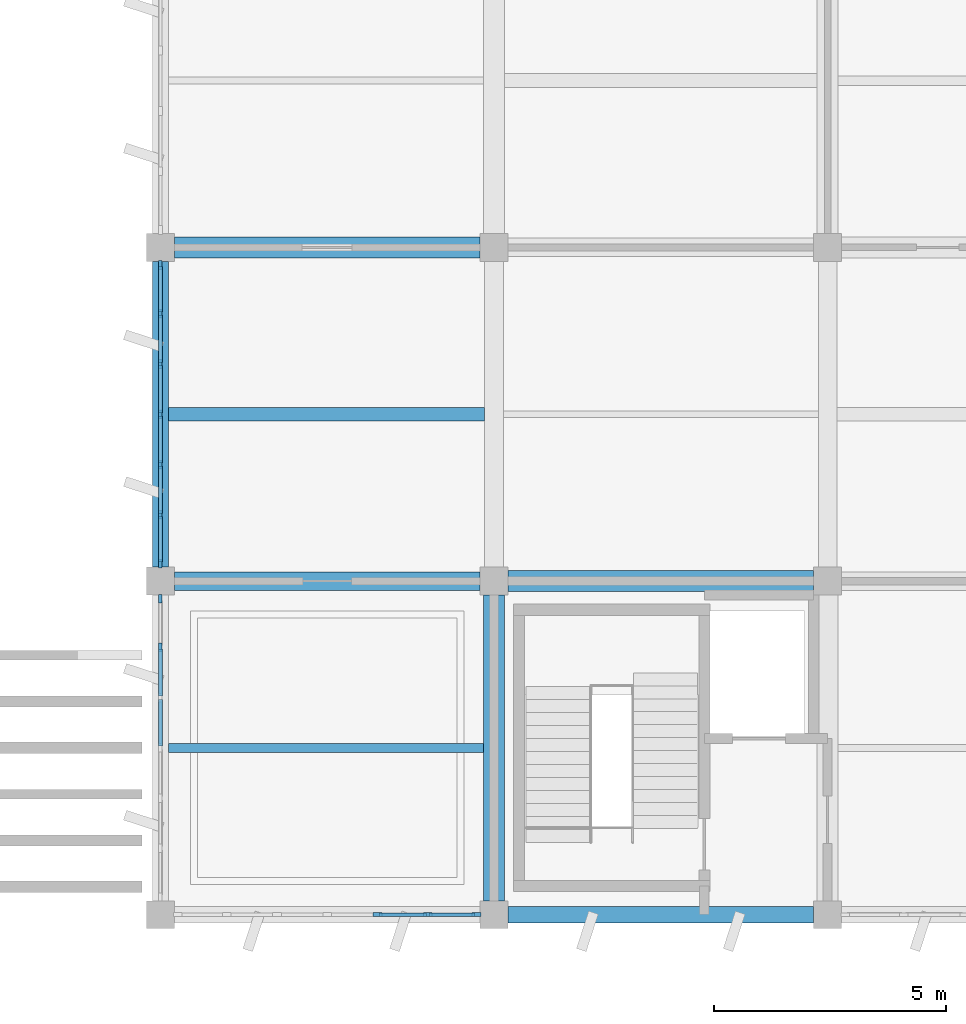
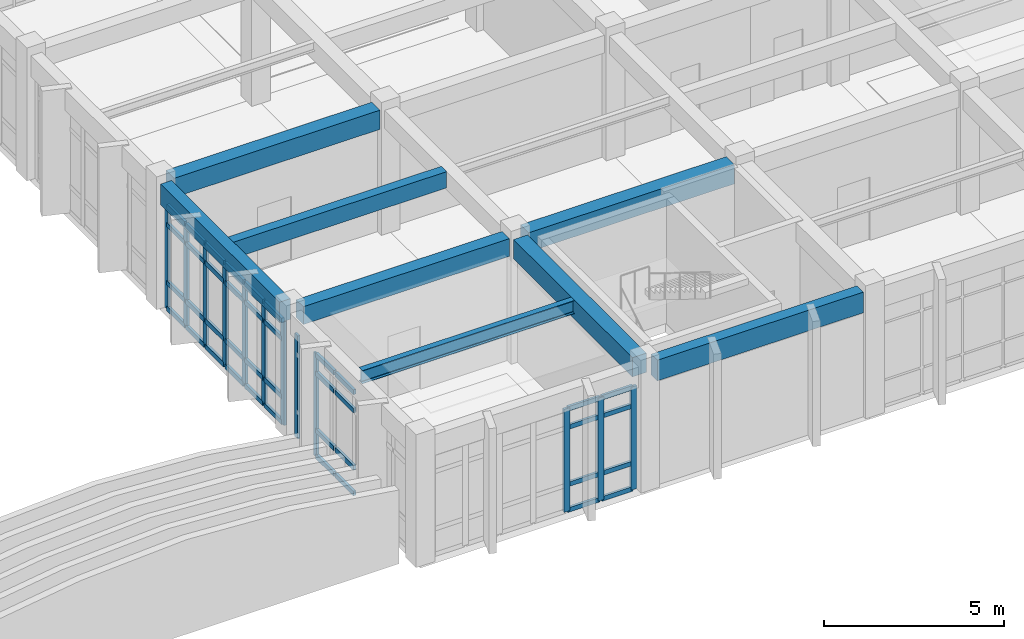
# One storey, part 12 of 81: 53 members, 7 beams, 3 elements without a shape of their own.
"""IFC4 building model written with IfcOpenShell, lengths in metres."""

import ifcopenshell
import ifcopenshell.guid

model = None  # the IFC model being written
_history = None  # IfcOwnerHistory: only IFC2X3 demands one
_inside = {}  # id of a spatial element -> (the spatial element, [elements in it])
_under = {}  # id of a project, library or spatial element -> (it, [spatial elements below it])
_declared = {}  # id of a project -> (the project, [libraries it declares])
_typed = {}  # id of a type object -> (the type object, [elements of that type])
_made_of = {}  # id of a material, layer set ... -> (it, [elements and type objects made of it])


def new_model(schema):
    """Start an empty IFC model of exactly this schema.

    Asked for "IFC4X3", IfcOpenShell would pick the latest addendum, in which some entities
    have other attributes; the version numbers below select the first issue.
    IFC2X3 requires an IfcOwnerHistory on every rooted entity: one is made here for all.
    """
    global model, _history
    if schema == "IFC4X3":
        model = ifcopenshell.file(schema_version=(4, 3, 0, 0))
    else:
        model = ifcopenshell.file(schema=schema)
    _inside.clear()
    _under.clear()
    _declared.clear()
    _typed.clear()
    _made_of.clear()
    _history = None
    if model.schema == "IFC2X3":
        org = make("IfcOrganization", Name="unknown")
        user = make(
            "IfcPersonAndOrganization",
            ThePerson=make("IfcPerson", FamilyName="unknown"),
            TheOrganization=org,
        )
        app = make(
            "IfcApplication",
            ApplicationDeveloper=org,
            Version="unknown",
            ApplicationFullName="unknown",
            ApplicationIdentifier="unknown",
        )
        _history = make(
            "IfcOwnerHistory",
            OwningUser=user,
            OwningApplication=app,
            ChangeAction="ADDED",
            CreationDate=0,
        )
    return model


def make(cls, **values):
    """One entity of the class cls with the attributes given. An attribute that is None is left unset."""
    return model.create_entity(
        cls, **{name: value for name, value in values.items() if value is not None}
    )


def rooted(cls, **values):
    """An entity with a GlobalId (a new one), such as an element, a storey or a relation."""
    return make(cls, GlobalId=ifcopenshell.guid.new(), OwnerHistory=_history, **values)


def si_unit(unit_type, name, prefix=None):
    """IfcSIUnit, for example si_unit("LENGTHUNIT", "METRE", prefix="MILLI")."""
    return make("IfcSIUnit", UnitType=unit_type, Prefix=prefix, Name=name)


def assignment(units):
    """IfcUnitAssignment: the units of a project."""
    return None if units is None else make("IfcUnitAssignment", Units=units)


def point(xyz):
    """IfcCartesianPoint."""
    return None if xyz is None else make("IfcCartesianPoint", Coordinates=xyz)


def direction(xyz):
    """IfcDirection."""
    return None if xyz is None else make("IfcDirection", DirectionRatios=xyz)


def frame(location, z_axis=None, x_axis=None):
    """IfcAxis2Placement3D, a coordinate frame: its origin and axes. An axis left out is left unset."""
    return make(
        "IfcAxis2Placement3D",
        Location=point(location),
        Axis=direction(z_axis),
        RefDirection=direction(x_axis),
    )


def frame_2d(location, x_axis=None):
    """IfcAxis2Placement2D, a coordinate frame in the plane: its origin and x axis."""
    return make(
        "IfcAxis2Placement2D", Location=point(location), RefDirection=direction(x_axis)
    )


def origin():
    """The frame at (0, 0, 0) with its axes left unset."""
    return frame((0.0, 0.0, 0.0))


def origin_2d():
    """The frame at (0, 0) in the plane with its x axis left unset."""
    return frame_2d((0.0, 0.0))


def place(relative_to, where):
    """IfcLocalPlacement: puts the frame where relative to a parent placement (None: the world)."""
    return make(
        "IfcLocalPlacement", PlacementRelTo=relative_to, RelativePlacement=where
    )


def context(
    kind, dimensions, precision=None, world=None, true_north=None, identifier=None
):
    """IfcGeometricRepresentationContext, for example the 3D "Model" context."""
    return make(
        "IfcGeometricRepresentationContext",
        ContextIdentifier=identifier,
        ContextType=kind,
        CoordinateSpaceDimension=dimensions,
        Precision=precision,
        WorldCoordinateSystem=world,
        TrueNorth=true_north,
    )


def subcontext(parent, identifier, kind, view, scale=None):
    """IfcGeometricRepresentationSubContext, for example "Body" below "Model"."""
    return make(
        "IfcGeometricRepresentationSubContext",
        ContextIdentifier=identifier,
        ContextType=kind,
        ParentContext=parent,
        TargetScale=scale,
        TargetView=view,
    )


def project(units=None, contexts=None):
    """IfcProject with its units and contexts."""
    return rooted(
        "IfcProject",
        Name="project",
        RepresentationContexts=contexts,
        UnitsInContext=assignment(units),
    )


def spatial(cls, under=None, at=None, **own):
    """A site, building, storey or space (cls), placed at a placement, below another one or the project."""
    s = rooted(cls, ObjectPlacement=at, **own)
    if under is not None:
        _under.setdefault(under.id(), (under, []))[1].append(s)
    return s


def profile(cls, at=None, kind="AREA", **sizes):
    """A parametric profile (cls). Its sizes go by their IFC names, for example OverallWidth=200.0."""
    return make(cls, ProfileType=kind, Position=at, **sizes)


def rectangle(**sizes):
    """IfcRectangleProfileDef."""
    return profile("IfcRectangleProfileDef", **sizes)


def i_section(**sizes):
    """IfcIShapeProfileDef."""
    return profile("IfcIShapeProfileDef", **sizes)


def extrude(swept, where, along, depth):
    """IfcExtrudedAreaSolid: the profile swept, set in the frame where, extruded along a direction by depth."""
    return make(
        "IfcExtrudedAreaSolid",
        SweptArea=swept,
        Position=where,
        ExtrudedDirection=direction(along),
        Depth=depth,
    )


def shape(context_of_items, identifier, shape_type, items):
    """IfcShapeRepresentation: the items that make up one representation, for example the "Body"."""
    return make(
        "IfcShapeRepresentation",
        ContextOfItems=context_of_items,
        RepresentationIdentifier=identifier,
        RepresentationType=shape_type,
        Items=items,
    )


def material(Name=None, Category=None):
    """IfcMaterial."""
    return make("IfcMaterial", Name=Name, Category=Category)


def layer(
    of_material, thickness, ventilated=None, Name=None, Category=None, Priority=None
):
    """IfcMaterialLayer: one layer of a wall or slab, of a material (None: an air gap)."""
    return make(
        "IfcMaterialLayer",
        Material=of_material,
        LayerThickness=thickness,
        IsVentilated=ventilated,
        Name=Name,
        Category=Category,
        Priority=Priority,
    )


def layer_set(layers, Name=None):
    """IfcMaterialLayerSet."""
    return make("IfcMaterialLayerSet", MaterialLayers=layers, LayerSetName=Name)


def material_profile(
    of_material, cross_section, Name=None, Category=None, Priority=None
):
    """IfcMaterialProfile: a cross section and its material."""
    return make(
        "IfcMaterialProfile",
        Name=Name,
        Material=of_material,
        Profile=cross_section,
        Priority=Priority,
        Category=Category,
    )


def profile_set(profiles, Name=None, composite=None):
    """IfcMaterialProfileSet."""
    return make(
        "IfcMaterialProfileSet",
        Name=Name,
        MaterialProfiles=profiles,
        CompositeProfile=composite,
    )


def made_of(thing, what):
    """Note that an element or type object is made of a material, layer set ...; save() writes the relation."""
    if what is not None:
        _made_of.setdefault(what.id(), (what, []))[1].append(thing)
    return thing


def type_object(cls, material=None, **own):
    """A type object (cls), such as IfcWallType, which elements share."""
    return made_of(rooted(cls, **own), material)


def element(
    cls,
    number,
    at=None,
    inside=None,
    cuts=None,
    type_object=None,
    material=None,
    context=None,
    identifier="Body",
    shape_type=None,
    held_by="IfcProductDefinitionShape",
    body=None,
    shapes=None,
    **own,
):
    """One element of the class cls, such as IfcWall. Its Tag is "e" and its number.

    at: its placement. inside: the storey or other place that contains it. cuts: it is an
    opening in that element (IfcRelVoidsElement). A single representation is given by context,
    identifier, shape_type and body (its items); several are given by shapes. held_by: the class
    of the entity that holds the representations. save() writes the other relations.
    """
    e = rooted(cls, Tag="e%d" % number, ObjectPlacement=at, **own)
    if body is not None:
        shapes = [shape(context, identifier, shape_type, body)]
    if shapes is not None:
        e.Representation = make(held_by, Representations=shapes)
    if inside is not None:
        _inside.setdefault(inside.id(), (inside, []))[1].append(e)
    if cuts is not None:
        rooted(
            "IfcRelVoidsElement", RelatingBuildingElement=cuts, RelatedOpeningElement=e
        )
    if type_object is not None:
        _typed.setdefault(type_object.id(), (type_object, []))[1].append(e)
    return made_of(e, material)


def aggregate(whole, parts):
    """IfcRelAggregates: a whole, such as a stair, and the parts it consists of."""
    return rooted("IfcRelAggregates", RelatingObject=whole, RelatedObjects=parts)


def save(model, path):
    """Write the relations noted so far, then the file.

    IfcRelAggregates (storeys below a building ...), IfcRelContainedInSpatialStructure (elements
    in a storey), IfcRelDefinesByType, IfcRelAssociatesMaterial and IfcRelDeclares: one each for
    every whole, place, type object, material and project.
    """
    for whole, parts in _under.values():
        aggregate(whole, parts)
    for where, things in _inside.values():
        rooted(
            "IfcRelContainedInSpatialStructure",
            RelatedElements=things,
            RelatingStructure=where,
        )
    for kind, things in _typed.values():
        rooted("IfcRelDefinesByType", RelatedObjects=things, RelatingType=kind)
    for what, things in _made_of.values():
        rooted("IfcRelAssociatesMaterial", RelatedObjects=things, RelatingMaterial=what)
    for by, libraries in _declared.values():
        rooted("IfcRelDeclares", RelatingContext=by, RelatedDefinitions=libraries)
    model.write(path)


model = new_model("IFC4")

# Units and contexts
model_context = context("Model", 3, precision=1e-05, world=origin(), true_north=direction((0.0, 1.0)))
body_context = subcontext(model_context, "Body", "Model", "MODEL_VIEW")
ifc_project = project(units=[si_unit("LENGTHUNIT", "METRE"), si_unit("AREAUNIT", "SQUARE_METRE"), si_unit("VOLUMEUNIT", "CUBIC_METRE"), si_unit("PLANEANGLEUNIT", "RADIAN"), si_unit("MASSUNIT", "GRAM", prefix="KILO")], contexts=[model_context])

# Site, building, storey
site_placement = place(None, origin())
site = spatial("IfcSite", under=ifc_project, at=site_placement, CompositionType="ELEMENT")
building_placement = place(site_placement, origin())
building = spatial("IfcBuilding", under=site, at=building_placement, Name="Kavelor Marine Aquarium", CompositionType="ELEMENT")
storey_placement = place(building_placement, frame((0.0, 0.0, 4.679931640625)))
storey = spatial("IfcBuildingStorey", under=building, at=storey_placement, Name="L01", CompositionType="ELEMENT", Elevation=4.679931640625)

# Beams
ifc_material_1 = material(Name="Concrete C40/50", Category="concrete")
ifc_material_profile_1 = material_profile(ifc_material_1, rectangle(XDim=0.449951171875, YDim=0.64990234375, at=origin_2d()), Name="RC-BM 450x650")
ifc_profile_set_1 = profile_set([ifc_material_profile_1], Name="Concrete C40/50")
beam_type_1 = type_object("IfcBeamType", Name="BM-B3", PredefinedType="BEAM", material=ifc_profile_set_1)
for number, where, z_axis, x_axis, name in (
    (1, (118.699951171875, 17.199951171875, 3.875), (1.0, 0.0, 0.0), (0.0, 1.0, 0.0), "bm:x:L01:L02:16_02"),
    (2, (125.89990234375, 10.0, 3.875), (1.0, 0.0, 0.0), (0.0, 1.0, 0.0), "bm:x:L01:L02:17_01"),
):
    element("IfcBeam", number, at=place(storey_placement, frame(where, z_axis=z_axis, x_axis=x_axis)), inside=storey, type_object=beam_type_1, Name=name, PredefinedType="BEAM", context=body_context, shape_type="SweptSolid", body=[
        extrude(rectangle(XDim=0.449951171875, YDim=0.64990234375, at=origin_2d()), origin(), (0.0, 0.0, 1.0), 6.60009765625),
    ])
beam_1_placement = place(storey_placement, frame((125.60009765625, 3.10009765625, 3.875), z_axis=(0.0, 1.0, 0.0), x_axis=(-1.0, 0.0, 0.0)))
element("IfcBeam", 3, at=beam_1_placement, inside=storey, type_object=beam_type_1, Name="bm:y:L01:L02:17_00", PredefinedType="BEAM", context=body_context, shape_type="SweptSolid", body=[
    extrude(rectangle(XDim=0.449951171875, YDim=0.64990234375, at=origin_2d()), origin(), (0.0, 0.0, 1.0), 6.599853515625),
])
ifc_material_2 = material(Name="Concrete C40/50", Category="concrete")
ifc_material_profile_2 = material_profile(ifc_material_2, rectangle(XDim=0.39990234375, YDim=0.60009765625, at=origin_2d()), Name="RC-BM 400x600")
ifc_profile_set_2 = profile_set([ifc_material_profile_2], Name="Concrete C40/50")
beam_type_2 = type_object("IfcBeamType", Name="BM-B4", PredefinedType="BEAM", material=ifc_profile_set_2)
beam_2_placement = place(storey_placement, frame((118.699951171875, 10.0, 3.900146484375), z_axis=(1.0, 0.0, 0.0), x_axis=(0.0, 1.0, 0.0)))
element("IfcBeam", 4, at=beam_2_placement, inside=storey, type_object=beam_type_2, Name="bm:x:L01:L02:16_01", PredefinedType="BEAM", context=body_context, shape_type="SweptSolid", body=[
    extrude(rectangle(XDim=0.39990234375, YDim=0.60009765625, at=origin_2d()), origin(), (0.0, 0.0, 1.0), 6.60009765625),
])
ifc_material_3 = material(Name="Concrete C40/50", Category="concrete")
ifc_material_profile_3 = material_profile(ifc_material_3, rectangle(XDim=0.300048828125, YDim=0.550048828125, at=origin_2d()), Name="RC-JS 300x550")
ifc_profile_set_3 = profile_set([ifc_material_profile_3], Name="Concrete C40/50")
beam_type_3 = type_object("IfcBeamType", Name="BM-JS2", PredefinedType="JOIST", material=ifc_profile_set_3)
beam_3_placement = place(storey_placement, frame((118.574951171875, 13.60009765625, 3.945068359375), z_axis=(1.0, 0.0, 0.0), x_axis=(0.0, 1.0, 0.0)))
element("IfcBeam", 5, at=beam_3_placement, inside=storey, type_object=beam_type_3, Name="js:L01:L02:16_01", PredefinedType="JOIST", context=body_context, shape_type="SweptSolid", body=[
    extrude(rectangle(XDim=0.300048828125, YDim=0.550048828125, at=origin_2d()), origin(), (0.0, 0.0, 1.0), 6.824951171875),
])
ifc_material_4 = material(Name="Concrete C40/50", Category="concrete")
ifc_material_profile_4 = material_profile(ifc_material_4, rectangle(XDim=0.35009765625, YDim=0.699951171875, at=origin_2d()), Name="RC-SP 350x700")
ifc_profile_set_4 = profile_set([ifc_material_profile_4], Name="Concrete C40/50")
beam_type_4 = type_object("IfcBeamType", Name="BM-SP1", PredefinedType="SPANDREL", material=ifc_profile_set_4)
beam_4_placement = place(storey_placement, frame((125.89990234375, 2.800048828125, 3.8701171875), z_axis=(1.0, 0.0, 0.0), x_axis=(0.0, 1.0, 0.0)))
element("IfcBeam", 6, at=beam_4_placement, inside=storey, type_object=beam_type_4, Name="bm:x:L01:L02:17_00", PredefinedType="SPANDREL", context=body_context, shape_type="SweptSolid", body=[
    extrude(rectangle(XDim=0.35009765625, YDim=0.699951171875, at=origin_2d()), origin(), (0.0, 0.0, 1.0), 6.60009765625),
])
beam_5_placement = place(storey_placement, frame((118.39990234375, 10.300048828125, 3.8701171875), z_axis=(0.0, 1.0, 0.0), x_axis=(-1.0, 0.0, 0.0)))
element("IfcBeam", 7, at=beam_5_placement, inside=storey, type_object=beam_type_4, Name="bm:y:L01:L02:16_01", PredefinedType="SPANDREL", context=body_context, shape_type="SweptSolid", body=[
    extrude(rectangle(XDim=0.35009765625, YDim=0.699951171875, at=origin_2d()), origin(), (0.0, 0.0, 1.0), 6.599853515625),
])

# Curtain wall, members
ifc_material_5 = material(Name="Thermally Broken Aluminium and Low-E Glass", Category="aluminium")
ifc_layer_1 = layer(ifc_material_5, 0.172119140625)
ifc_layer_set_1 = layer_set([ifc_layer_1], Name="CW-SYS4")
curtain_wall_type_1 = type_object("IfcCurtainWallType", Name="CW-SYS4", PredefinedType="USERDEFINED", material=ifc_layer_set_1)
curtain_wall_1_placement = place(storey_placement, origin())
curtain_wall_1 = element("IfcCurtainWall", 8, at=curtain_wall_1_placement, inside=storey, type_object=curtain_wall_type_1, Name="cw:y:L01:16_00", ObjectType="Curtain Wall", PredefinedType="USERDEFINED")
ifc_material_6 = material(Name="Anodised Aluminium Alloy 6063-T6", Category="aluminium")
ifc_material_profile_5 = material_profile(ifc_material_6, rectangle(XDim=0.074951171875, YDim=0.179931640625, at=origin_2d()), Name="CW-MUL 75x180")
ifc_profile_set_5 = profile_set([ifc_material_profile_5], Name="Anodised Aluminium Alloy 6063-T6")
member_type_1 = type_object("IfcMemberType", Name="CWM-1", PredefinedType="MULLION", material=ifc_profile_set_5)
member_1_placement = place(storey_placement, frame((118.39990234375, 9.617431640625, 0.0), z_axis=(0.0, 0.0, 1.0), x_axis=(1.0, 0.0, 0.0)))
member_1 = element("IfcMember", 9, at=member_1_placement, type_object=member_type_1, Name="CW04 mullion 1", PredefinedType="MULLION", context=body_context, shape_type="SweptSolid", body=[
    extrude(rectangle(XDim=0.074951171875, YDim=0.179931640625, at=origin_2d()), origin(), (0.0, 0.0, 1.0), 3.489990234375),
])
member_2_placement = place(storey_placement, frame((118.39990234375, 8.570068359375, 0.0), z_axis=(0.0, 0.0, 1.0), x_axis=(1.0, 0.0, 0.0)))
member_2 = element("IfcMember", 10, at=member_2_placement, type_object=member_type_1, Name="CW04 mullion 2", PredefinedType="MULLION", context=body_context, shape_type="SweptSolid", body=[
    extrude(rectangle(XDim=0.074951171875, YDim=0.179931640625, at=origin_2d()), origin(), (0.0, 0.0, 1.0), 3.489990234375),
])

ifc_material_7 = material(Name="Thermally Broken Aluminium and Low-E Glass", Category="aluminium")
ifc_layer_2 = layer(ifc_material_7, 0.179931640625)
ifc_layer_set_2 = layer_set([ifc_layer_2], Name="CW-SYS5")
curtain_wall_type_2 = type_object("IfcCurtainWallType", Name="CW-SYS5", PredefinedType="USERDEFINED", material=ifc_layer_set_2)
curtain_wall_2_placement = place(storey_placement, origin())
curtain_wall_2 = element("IfcCurtainWall", 11, at=curtain_wall_2_placement, inside=storey, type_object=curtain_wall_type_2, Name="cw:y:L01:16_01", ObjectType="Curtain Wall", PredefinedType="USERDEFINED")
ifc_material_8 = material(Name="Anodised Aluminium Alloy 6063-T6", Category="aluminium")
ifc_material_profile_6 = material_profile(ifc_material_8, rectangle(XDim=0.080078125, YDim=0.18505859375, at=origin_2d()), Name="CW-MUL 80x185")
ifc_profile_set_6 = profile_set([ifc_material_profile_6], Name="Anodised Aluminium Alloy 6063-T6")
member_type_2 = type_object("IfcMemberType", Name="CWM-2", PredefinedType="MULLION", material=ifc_profile_set_6)
member_3_placement = place(storey_placement, frame((118.39990234375, 16.822509765625, 0.0), z_axis=(0.0, 0.0, 1.0), x_axis=(1.0, 0.0, 0.0)))
member_3 = element("IfcMember", 12, at=member_3_placement, type_object=member_type_2, Name="CW05 mullion 1", PredefinedType="MULLION", context=body_context, shape_type="SweptSolid", body=[
    extrude(rectangle(XDim=0.080078125, YDim=0.18505859375, at=origin_2d()), origin(), (0.0, 0.0, 1.0), 3.510009765625),
])
member_4_placement = place(storey_placement, frame((118.39990234375, 15.77001953125, 0.0), z_axis=(0.0, 0.0, 1.0), x_axis=(1.0, 0.0, 0.0)))
member_4 = element("IfcMember", 13, at=member_4_placement, type_object=member_type_2, Name="CW05 mullion 2", PredefinedType="MULLION", context=body_context, shape_type="SweptSolid", body=[
    extrude(rectangle(XDim=0.080078125, YDim=0.18505859375, at=origin_2d()), origin(), (0.0, 0.0, 1.0), 3.510009765625),
])
member_5_placement = place(storey_placement, frame((118.39990234375, 14.68505859375, 0.0), z_axis=(0.0, 0.0, 1.0), x_axis=(1.0, 0.0, 0.0)))
member_5 = element("IfcMember", 14, at=member_5_placement, type_object=member_type_2, Name="CW05 mullion 3", PredefinedType="MULLION", context=body_context, shape_type="SweptSolid", body=[
    extrude(rectangle(XDim=0.080078125, YDim=0.18505859375, at=origin_2d()), origin(), (0.0, 0.0, 1.0), 3.510009765625),
])
member_6_placement = place(storey_placement, frame((118.39990234375, 13.60009765625, 0.0), z_axis=(0.0, 0.0, 1.0), x_axis=(1.0, 0.0, 0.0)))
member_6 = element("IfcMember", 15, at=member_6_placement, type_object=member_type_2, Name="CW05 mullion 4", PredefinedType="MULLION", context=body_context, shape_type="SweptSolid", body=[
    extrude(rectangle(XDim=0.080078125, YDim=0.18505859375, at=origin_2d()), origin(), (0.0, 0.0, 1.0), 3.510009765625),
])
member_7_placement = place(storey_placement, frame((118.39990234375, 12.514892578125, 0.0), z_axis=(0.0, 0.0, 1.0), x_axis=(1.0, 0.0, 0.0)))
member_7 = element("IfcMember", 16, at=member_7_placement, type_object=member_type_2, Name="CW05 mullion 5", PredefinedType="MULLION", context=body_context, shape_type="SweptSolid", body=[
    extrude(rectangle(XDim=0.080078125, YDim=0.18505859375, at=origin_2d()), origin(), (0.0, 0.0, 1.0), 3.510009765625),
])
member_8_placement = place(storey_placement, frame((118.39990234375, 11.429931640625, 0.0), z_axis=(0.0, 0.0, 1.0), x_axis=(1.0, 0.0, 0.0)))
member_8 = element("IfcMember", 17, at=member_8_placement, type_object=member_type_2, Name="CW05 mullion 6", PredefinedType="MULLION", context=body_context, shape_type="SweptSolid", body=[
    extrude(rectangle(XDim=0.080078125, YDim=0.18505859375, at=origin_2d()), origin(), (0.0, 0.0, 1.0), 3.510009765625),
])
member_9_placement = place(storey_placement, frame((118.39990234375, 10.37744140625, 0.0), z_axis=(0.0, 0.0, 1.0), x_axis=(1.0, 0.0, 0.0)))
member_9 = element("IfcMember", 18, at=member_9_placement, type_object=member_type_2, Name="CW05 mullion 7", PredefinedType="MULLION", context=body_context, shape_type="SweptSolid", body=[
    extrude(rectangle(XDim=0.080078125, YDim=0.18505859375, at=origin_2d()), origin(), (0.0, 0.0, 1.0), 3.510009765625),
])

ifc_material_9 = material(Name="Thermally Broken Aluminium and Low-E Glass", Category="aluminium")
ifc_layer_3 = layer(ifc_material_9, 0.1640625)
ifc_layer_set_3 = layer_set([ifc_layer_3], Name="CW-SYS3")
curtain_wall_type_3 = type_object("IfcCurtainWallType", Name="CW-SYS3", PredefinedType="USERDEFINED", material=ifc_layer_set_3)
curtain_wall_3_placement = place(storey_placement, origin())
curtain_wall_3 = element("IfcCurtainWall", 19, at=curtain_wall_3_placement, inside=storey, type_object=curtain_wall_type_3, Name="cw:x:L01:16_00", ObjectType="Curtain Wall", PredefinedType="USERDEFINED")
ifc_material_10 = material(Name="Anodised Aluminium Alloy 6063-T6", Category="aluminium")
ifc_material_profile_7 = material_profile(ifc_material_10, rectangle(XDim=0.0849609375, YDim=0.18994140625, at=origin_2d()), Name="CW-MUL 85x190")
ifc_profile_set_7 = profile_set([ifc_material_profile_7], Name="Anodised Aluminium Alloy 6063-T6")
member_type_3 = type_object("IfcMemberType", Name="CWM-3", PredefinedType="MULLION", material=ifc_profile_set_7)
member_10_placement = place(storey_placement, frame((125.22509765625, 2.800048828125, 0.0), z_axis=(0.0, 0.0, 1.0), x_axis=(0.0, -1.0, 0.0)))
member_10 = element("IfcMember", 20, at=member_10_placement, type_object=member_type_3, Name="CW03 mullion 1", PredefinedType="MULLION", context=body_context, shape_type="SweptSolid", body=[
    extrude(rectangle(XDim=0.0849609375, YDim=0.18994140625, at=origin_2d()), origin(), (0.0, 0.0, 1.0), 3.489990234375),
])
member_11_placement = place(storey_placement, frame((124.169921875, 2.800048828125, 0.0), z_axis=(0.0, 0.0, 1.0), x_axis=(0.0, -1.0, 0.0)))
member_11 = element("IfcMember", 21, at=member_11_placement, type_object=member_type_3, Name="CW03 mullion 2", PredefinedType="MULLION", context=body_context, shape_type="SweptSolid", body=[
    extrude(rectangle(XDim=0.0849609375, YDim=0.18994140625, at=origin_2d()), origin(), (0.0, 0.0, 1.0), 3.489990234375),
])
member_12_placement = place(storey_placement, frame((123.0849609375, 2.800048828125, 0.0), z_axis=(0.0, 0.0, 1.0), x_axis=(0.0, -1.0, 0.0)))
member_12 = element("IfcMember", 22, at=member_12_placement, type_object=member_type_3, Name="CW03 mullion 3", PredefinedType="MULLION", context=body_context, shape_type="SweptSolid", body=[
    extrude(rectangle(XDim=0.0849609375, YDim=0.18994140625, at=origin_2d()), origin(), (0.0, 0.0, 1.0), 3.489990234375),
])
ifc_material_11 = material(Name="Anodised Aluminium Alloy 6063-T6", Category="aluminium")
ifc_material_profile_8 = material_profile(ifc_material_11, rectangle(XDim=0.080078125, YDim=0.155029296875, at=origin_2d()), Name="CW-TRN 80x155")
ifc_profile_set_8 = profile_set([ifc_material_profile_8], Name="Anodised Aluminium Alloy 6063-T6")
member_type_4 = type_object("IfcMemberType", Name="CWT-2", PredefinedType="USERDEFINED", material=ifc_profile_set_8)
member_13_placement = place(storey_placement, frame((125.195068359375, 2.800048828125, 0.032470703125), z_axis=(-1.0, 0.0, 0.0), x_axis=(0.0, -1.0, 0.0)))
member_13 = element("IfcMember", 23, at=member_13_placement, type_object=member_type_4, Name="CW03 transom 1.1", ObjectType="TRANSOM", PredefinedType="USERDEFINED", context=body_context, shape_type="SweptSolid", body=[
    extrude(rectangle(XDim=0.080078125, YDim=0.155029296875, at=origin_2d()), origin(), (0.0, 0.0, 1.0), 0.9951171875),
])
member_14_placement = place(storey_placement, frame((125.195068359375, 2.800048828125, 0.900146484375), z_axis=(-1.0, 0.0, 0.0), x_axis=(0.0, -1.0, 0.0)))
member_14 = element("IfcMember", 24, at=member_14_placement, type_object=member_type_4, Name="CW03 transom 1.2", ObjectType="TRANSOM", PredefinedType="USERDEFINED", context=body_context, shape_type="SweptSolid", body=[
    extrude(rectangle(XDim=0.080078125, YDim=0.155029296875, at=origin_2d()), origin(), (0.0, 0.0, 1.0), 0.9951171875),
])
member_15_placement = place(storey_placement, frame((125.195068359375, 2.800048828125, 2.840087890625), z_axis=(-1.0, 0.0, 0.0), x_axis=(0.0, -1.0, 0.0)))
member_15 = element("IfcMember", 25, at=member_15_placement, type_object=member_type_4, Name="CW03 transom 1.3", ObjectType="TRANSOM", PredefinedType="USERDEFINED", context=body_context, shape_type="SweptSolid", body=[
    extrude(rectangle(XDim=0.080078125, YDim=0.155029296875, at=origin_2d()), origin(), (0.0, 0.0, 1.0), 0.9951171875),
])
member_16_placement = place(storey_placement, frame((125.195068359375, 2.800048828125, 3.45751953125), z_axis=(-1.0, 0.0, 0.0), x_axis=(0.0, -1.0, 0.0)))
member_16 = element("IfcMember", 26, at=member_16_placement, type_object=member_type_4, Name="CW03 transom 1.4", ObjectType="TRANSOM", PredefinedType="USERDEFINED", context=body_context, shape_type="SweptSolid", body=[
    extrude(rectangle(XDim=0.080078125, YDim=0.155029296875, at=origin_2d()), origin(), (0.0, 0.0, 1.0), 0.9951171875),
])
member_17_placement = place(storey_placement, frame((124.139892578125, 2.800048828125, 0.032470703125), z_axis=(-1.0, 0.0, 0.0), x_axis=(0.0, -1.0, 0.0)))
member_17 = element("IfcMember", 27, at=member_17_placement, type_object=member_type_4, Name="CW03 transom 2.1", ObjectType="TRANSOM", PredefinedType="USERDEFINED", context=body_context, shape_type="SweptSolid", body=[
    extrude(rectangle(XDim=0.080078125, YDim=0.155029296875, at=origin_2d()), origin(), (0.0, 0.0, 1.0), 1.02490234375),
])
member_18_placement = place(storey_placement, frame((124.139892578125, 2.800048828125, 0.900146484375), z_axis=(-1.0, 0.0, 0.0), x_axis=(0.0, -1.0, 0.0)))
member_18 = element("IfcMember", 28, at=member_18_placement, type_object=member_type_4, Name="CW03 transom 2.2", ObjectType="TRANSOM", PredefinedType="USERDEFINED", context=body_context, shape_type="SweptSolid", body=[
    extrude(rectangle(XDim=0.080078125, YDim=0.155029296875, at=origin_2d()), origin(), (0.0, 0.0, 1.0), 1.02490234375),
])
member_19_placement = place(storey_placement, frame((124.139892578125, 2.800048828125, 2.840087890625), z_axis=(-1.0, 0.0, 0.0), x_axis=(0.0, -1.0, 0.0)))
member_19 = element("IfcMember", 29, at=member_19_placement, type_object=member_type_4, Name="CW03 transom 2.3", ObjectType="TRANSOM", PredefinedType="USERDEFINED", context=body_context, shape_type="SweptSolid", body=[
    extrude(rectangle(XDim=0.080078125, YDim=0.155029296875, at=origin_2d()), origin(), (0.0, 0.0, 1.0), 1.02490234375),
])
member_20_placement = place(storey_placement, frame((124.139892578125, 2.800048828125, 3.45751953125), z_axis=(-1.0, 0.0, 0.0), x_axis=(0.0, -1.0, 0.0)))
member_20 = element("IfcMember", 30, at=member_20_placement, type_object=member_type_4, Name="CW03 transom 2.4", ObjectType="TRANSOM", PredefinedType="USERDEFINED", context=body_context, shape_type="SweptSolid", body=[
    extrude(rectangle(XDim=0.080078125, YDim=0.155029296875, at=origin_2d()), origin(), (0.0, 0.0, 1.0), 1.02490234375),
])
aggregate(curtain_wall_3, [member_10, member_11, member_12, member_13, member_14, member_15, member_16, member_17, member_18, member_19, member_20])

# Member
ifc_material_12 = material(Name="Anodised Aluminium Alloy 6063-T6", Category="aluminium")
ifc_material_profile_9 = material_profile(ifc_material_12, rectangle(XDim=0.0849609375, YDim=0.159912109375, at=origin_2d()), Name="CW-TRN 85x160")
ifc_profile_set_9 = profile_set([ifc_material_profile_9], Name="Anodised Aluminium Alloy 6063-T6")
member_type_5 = type_object("IfcMemberType", Name="CWT-3", PredefinedType="USERDEFINED", material=ifc_profile_set_9)
member_21_placement = place(storey_placement, frame((118.39990234375, 8.532470703125, 0.030029296875), z_axis=(0.0, -1.0, 0.0), x_axis=(1.0, 0.0, 0.0)))
member_21 = element("IfcMember", 31, at=member_21_placement, type_object=member_type_5, Name="CW04 transom 2.1", ObjectType="TRANSOM", PredefinedType="USERDEFINED", context=body_context, shape_type="SweptSolid", body=[
    extrude(rectangle(XDim=0.0849609375, YDim=0.159912109375, at=origin_2d()), origin(), (0.0, 0.0, 1.0), 1.010009765625),
])

member_22_placement = place(storey_placement, frame((118.39990234375, 8.532470703125, 0.900146484375), z_axis=(0.0, -1.0, 0.0), x_axis=(1.0, 0.0, 0.0)))
member_22 = element("IfcMember", 32, at=member_22_placement, type_object=member_type_5, Name="CW04 transom 2.2", ObjectType="TRANSOM", PredefinedType="USERDEFINED", context=body_context, shape_type="SweptSolid", body=[
    extrude(rectangle(XDim=0.0849609375, YDim=0.159912109375, at=origin_2d()), origin(), (0.0, 0.0, 1.0), 1.010009765625),
])

member_23_placement = place(storey_placement, frame((118.39990234375, 8.532470703125, 2.840087890625), z_axis=(0.0, -1.0, 0.0), x_axis=(1.0, 0.0, 0.0)))
member_23 = element("IfcMember", 33, at=member_23_placement, type_object=member_type_5, Name="CW04 transom 2.3", ObjectType="TRANSOM", PredefinedType="USERDEFINED", context=body_context, shape_type="SweptSolid", body=[
    extrude(rectangle(XDim=0.0849609375, YDim=0.159912109375, at=origin_2d()), origin(), (0.0, 0.0, 1.0), 1.010009765625),
])

member_24_placement = place(storey_placement, frame((118.39990234375, 8.532470703125, 3.4599609375), z_axis=(0.0, -1.0, 0.0), x_axis=(1.0, 0.0, 0.0)))
member_24 = element("IfcMember", 34, at=member_24_placement, type_object=member_type_5, Name="CW04 transom 2.4", ObjectType="TRANSOM", PredefinedType="USERDEFINED", context=body_context, shape_type="SweptSolid", body=[
    extrude(rectangle(XDim=0.0849609375, YDim=0.159912109375, at=origin_2d()), origin(), (0.0, 0.0, 1.0), 1.010009765625),
])

member_25_placement = place(storey_placement, frame((118.39990234375, 7.447509765625, 0.030029296875), z_axis=(0.0, -1.0, 0.0), x_axis=(1.0, 0.0, 0.0)))
member_25 = element("IfcMember", 35, at=member_25_placement, type_object=member_type_5, Name="CW04 transom 3.1", ObjectType="TRANSOM", PredefinedType="USERDEFINED", context=body_context, shape_type="SweptSolid", body=[
    extrude(rectangle(XDim=0.0849609375, YDim=0.159912109375, at=origin_2d()), origin(), (0.0, 0.0, 1.0), 1.010009765625),
])

member_26_placement = place(storey_placement, frame((118.39990234375, 7.447509765625, 0.900146484375), z_axis=(0.0, -1.0, 0.0), x_axis=(1.0, 0.0, 0.0)))
member_26 = element("IfcMember", 36, at=member_26_placement, type_object=member_type_5, Name="CW04 transom 3.2", ObjectType="TRANSOM", PredefinedType="USERDEFINED", context=body_context, shape_type="SweptSolid", body=[
    extrude(rectangle(XDim=0.0849609375, YDim=0.159912109375, at=origin_2d()), origin(), (0.0, 0.0, 1.0), 1.010009765625),
])

member_27_placement = place(storey_placement, frame((118.39990234375, 7.447509765625, 2.840087890625), z_axis=(0.0, -1.0, 0.0), x_axis=(1.0, 0.0, 0.0)))
member_27 = element("IfcMember", 37, at=member_27_placement, type_object=member_type_5, Name="CW04 transom 3.3", ObjectType="TRANSOM", PredefinedType="USERDEFINED", context=body_context, shape_type="SweptSolid", body=[
    extrude(rectangle(XDim=0.0849609375, YDim=0.159912109375, at=origin_2d()), origin(), (0.0, 0.0, 1.0), 1.010009765625),
])

member_28_placement = place(storey_placement, frame((118.39990234375, 7.447509765625, 3.4599609375), z_axis=(0.0, -1.0, 0.0), x_axis=(1.0, 0.0, 0.0)))
member_28 = element("IfcMember", 38, at=member_28_placement, type_object=member_type_5, Name="CW04 transom 3.4", ObjectType="TRANSOM", PredefinedType="USERDEFINED", context=body_context, shape_type="SweptSolid", body=[
    extrude(rectangle(XDim=0.0849609375, YDim=0.159912109375, at=origin_2d()), origin(), (0.0, 0.0, 1.0), 1.010009765625),
])

aggregate(curtain_wall_1, [member_1, member_2, member_21, member_22, member_23, member_24, member_25, member_26, member_27, member_28])

member_29_placement = place(storey_placement, frame((118.39990234375, 16.7900390625, 0.030029296875), z_axis=(0.0, -1.0, 0.0), x_axis=(1.0, 0.0, 0.0)))
member_29 = element("IfcMember", 39, at=member_29_placement, type_object=member_type_5, Name="CW05 transom 1.1", ObjectType="TRANSOM", PredefinedType="USERDEFINED", context=body_context, shape_type="SweptSolid", body=[
    extrude(rectangle(XDim=0.0849609375, YDim=0.159912109375, at=origin_2d()), origin(), (0.0, 0.0, 1.0), 0.987548828125),
])

member_30_placement = place(storey_placement, frame((118.39990234375, 16.7900390625, 0.900146484375), z_axis=(0.0, -1.0, 0.0), x_axis=(1.0, 0.0, 0.0)))
member_30 = element("IfcMember", 40, at=member_30_placement, type_object=member_type_5, Name="CW05 transom 1.2", ObjectType="TRANSOM", PredefinedType="USERDEFINED", context=body_context, shape_type="SweptSolid", body=[
    extrude(rectangle(XDim=0.0849609375, YDim=0.159912109375, at=origin_2d()), origin(), (0.0, 0.0, 1.0), 0.987548828125),
])

member_31_placement = place(storey_placement, frame((118.39990234375, 16.7900390625, 2.860107421875), z_axis=(0.0, -1.0, 0.0), x_axis=(1.0, 0.0, 0.0)))
member_31 = element("IfcMember", 41, at=member_31_placement, type_object=member_type_5, Name="CW05 transom 1.3", ObjectType="TRANSOM", PredefinedType="USERDEFINED", context=body_context, shape_type="SweptSolid", body=[
    extrude(rectangle(XDim=0.0849609375, YDim=0.159912109375, at=origin_2d()), origin(), (0.0, 0.0, 1.0), 0.987548828125),
])

member_32_placement = place(storey_placement, frame((118.39990234375, 16.7900390625, 3.47998046875), z_axis=(0.0, -1.0, 0.0), x_axis=(1.0, 0.0, 0.0)))
member_32 = element("IfcMember", 42, at=member_32_placement, type_object=member_type_5, Name="CW05 transom 1.4", ObjectType="TRANSOM", PredefinedType="USERDEFINED", context=body_context, shape_type="SweptSolid", body=[
    extrude(rectangle(XDim=0.0849609375, YDim=0.159912109375, at=origin_2d()), origin(), (0.0, 0.0, 1.0), 0.987548828125),
])

member_33_placement = place(storey_placement, frame((118.39990234375, 15.737548828125, 0.030029296875), z_axis=(0.0, -1.0, 0.0), x_axis=(1.0, 0.0, 0.0)))
member_33 = element("IfcMember", 43, at=member_33_placement, type_object=member_type_5, Name="CW05 transom 2.1", ObjectType="TRANSOM", PredefinedType="USERDEFINED", context=body_context, shape_type="SweptSolid", body=[
    extrude(rectangle(XDim=0.0849609375, YDim=0.159912109375, at=origin_2d()), origin(), (0.0, 0.0, 1.0), 1.02001953125),
])

member_34_placement = place(storey_placement, frame((118.39990234375, 15.737548828125, 0.900146484375), z_axis=(0.0, -1.0, 0.0), x_axis=(1.0, 0.0, 0.0)))
member_34 = element("IfcMember", 44, at=member_34_placement, type_object=member_type_5, Name="CW05 transom 2.2", ObjectType="TRANSOM", PredefinedType="USERDEFINED", context=body_context, shape_type="SweptSolid", body=[
    extrude(rectangle(XDim=0.0849609375, YDim=0.159912109375, at=origin_2d()), origin(), (0.0, 0.0, 1.0), 1.02001953125),
])

member_35_placement = place(storey_placement, frame((118.39990234375, 15.737548828125, 2.860107421875), z_axis=(0.0, -1.0, 0.0), x_axis=(1.0, 0.0, 0.0)))
member_35 = element("IfcMember", 45, at=member_35_placement, type_object=member_type_5, Name="CW05 transom 2.3", ObjectType="TRANSOM", PredefinedType="USERDEFINED", context=body_context, shape_type="SweptSolid", body=[
    extrude(rectangle(XDim=0.0849609375, YDim=0.159912109375, at=origin_2d()), origin(), (0.0, 0.0, 1.0), 1.02001953125),
])

member_36_placement = place(storey_placement, frame((118.39990234375, 15.737548828125, 3.47998046875), z_axis=(0.0, -1.0, 0.0), x_axis=(1.0, 0.0, 0.0)))
member_36 = element("IfcMember", 46, at=member_36_placement, type_object=member_type_5, Name="CW05 transom 2.4", ObjectType="TRANSOM", PredefinedType="USERDEFINED", context=body_context, shape_type="SweptSolid", body=[
    extrude(rectangle(XDim=0.0849609375, YDim=0.159912109375, at=origin_2d()), origin(), (0.0, 0.0, 1.0), 1.02001953125),
])

member_37_placement = place(storey_placement, frame((118.39990234375, 14.652587890625, 0.030029296875), z_axis=(0.0, -1.0, 0.0), x_axis=(1.0, 0.0, 0.0)))
member_37 = element("IfcMember", 47, at=member_37_placement, type_object=member_type_5, Name="CW05 transom 3.1", ObjectType="TRANSOM", PredefinedType="USERDEFINED", context=body_context, shape_type="SweptSolid", body=[
    extrude(rectangle(XDim=0.0849609375, YDim=0.159912109375, at=origin_2d()), origin(), (0.0, 0.0, 1.0), 1.02001953125),
])

member_38_placement = place(storey_placement, frame((118.39990234375, 14.652587890625, 0.900146484375), z_axis=(0.0, -1.0, 0.0), x_axis=(1.0, 0.0, 0.0)))
member_38 = element("IfcMember", 48, at=member_38_placement, type_object=member_type_5, Name="CW05 transom 3.2", ObjectType="TRANSOM", PredefinedType="USERDEFINED", context=body_context, shape_type="SweptSolid", body=[
    extrude(rectangle(XDim=0.0849609375, YDim=0.159912109375, at=origin_2d()), origin(), (0.0, 0.0, 1.0), 1.02001953125),
])

member_39_placement = place(storey_placement, frame((118.39990234375, 14.652587890625, 2.860107421875), z_axis=(0.0, -1.0, 0.0), x_axis=(1.0, 0.0, 0.0)))
member_39 = element("IfcMember", 49, at=member_39_placement, type_object=member_type_5, Name="CW05 transom 3.3", ObjectType="TRANSOM", PredefinedType="USERDEFINED", context=body_context, shape_type="SweptSolid", body=[
    extrude(rectangle(XDim=0.0849609375, YDim=0.159912109375, at=origin_2d()), origin(), (0.0, 0.0, 1.0), 1.02001953125),
])

member_40_placement = place(storey_placement, frame((118.39990234375, 14.652587890625, 3.47998046875), z_axis=(0.0, -1.0, 0.0), x_axis=(1.0, 0.0, 0.0)))
member_40 = element("IfcMember", 50, at=member_40_placement, type_object=member_type_5, Name="CW05 transom 3.4", ObjectType="TRANSOM", PredefinedType="USERDEFINED", context=body_context, shape_type="SweptSolid", body=[
    extrude(rectangle(XDim=0.0849609375, YDim=0.159912109375, at=origin_2d()), origin(), (0.0, 0.0, 1.0), 1.02001953125),
])

member_41_placement = place(storey_placement, frame((118.39990234375, 13.5673828125, 0.030029296875), z_axis=(0.0, -1.0, 0.0), x_axis=(1.0, 0.0, 0.0)))
member_41 = element("IfcMember", 51, at=member_41_placement, type_object=member_type_5, Name="CW05 transom 4.1", ObjectType="TRANSOM", PredefinedType="USERDEFINED", context=body_context, shape_type="SweptSolid", body=[
    extrude(rectangle(XDim=0.0849609375, YDim=0.159912109375, at=origin_2d()), origin(), (0.0, 0.0, 1.0), 1.019775390625),
])

member_42_placement = place(storey_placement, frame((118.39990234375, 13.5673828125, 0.900146484375), z_axis=(0.0, -1.0, 0.0), x_axis=(1.0, 0.0, 0.0)))
member_42 = element("IfcMember", 52, at=member_42_placement, type_object=member_type_5, Name="CW05 transom 4.2", ObjectType="TRANSOM", PredefinedType="USERDEFINED", context=body_context, shape_type="SweptSolid", body=[
    extrude(rectangle(XDim=0.0849609375, YDim=0.159912109375, at=origin_2d()), origin(), (0.0, 0.0, 1.0), 1.019775390625),
])

member_43_placement = place(storey_placement, frame((118.39990234375, 13.5673828125, 2.860107421875), z_axis=(0.0, -1.0, 0.0), x_axis=(1.0, 0.0, 0.0)))
member_43 = element("IfcMember", 53, at=member_43_placement, type_object=member_type_5, Name="CW05 transom 4.3", ObjectType="TRANSOM", PredefinedType="USERDEFINED", context=body_context, shape_type="SweptSolid", body=[
    extrude(rectangle(XDim=0.0849609375, YDim=0.159912109375, at=origin_2d()), origin(), (0.0, 0.0, 1.0), 1.019775390625),
])

member_44_placement = place(storey_placement, frame((118.39990234375, 13.5673828125, 3.47998046875), z_axis=(0.0, -1.0, 0.0), x_axis=(1.0, 0.0, 0.0)))
member_44 = element("IfcMember", 54, at=member_44_placement, type_object=member_type_5, Name="CW05 transom 4.4", ObjectType="TRANSOM", PredefinedType="USERDEFINED", context=body_context, shape_type="SweptSolid", body=[
    extrude(rectangle(XDim=0.0849609375, YDim=0.159912109375, at=origin_2d()), origin(), (0.0, 0.0, 1.0), 1.019775390625),
])

member_45_placement = place(storey_placement, frame((118.39990234375, 12.482421875, 0.030029296875), z_axis=(0.0, -1.0, 0.0), x_axis=(1.0, 0.0, 0.0)))
member_45 = element("IfcMember", 55, at=member_45_placement, type_object=member_type_5, Name="CW05 transom 5.1", ObjectType="TRANSOM", PredefinedType="USERDEFINED", context=body_context, shape_type="SweptSolid", body=[
    extrude(rectangle(XDim=0.0849609375, YDim=0.159912109375, at=origin_2d()), origin(), (0.0, 0.0, 1.0), 1.02001953125),
])

member_46_placement = place(storey_placement, frame((118.39990234375, 12.482421875, 0.900146484375), z_axis=(0.0, -1.0, 0.0), x_axis=(1.0, 0.0, 0.0)))
member_46 = element("IfcMember", 56, at=member_46_placement, type_object=member_type_5, Name="CW05 transom 5.2", ObjectType="TRANSOM", PredefinedType="USERDEFINED", context=body_context, shape_type="SweptSolid", body=[
    extrude(rectangle(XDim=0.0849609375, YDim=0.159912109375, at=origin_2d()), origin(), (0.0, 0.0, 1.0), 1.02001953125),
])

member_47_placement = place(storey_placement, frame((118.39990234375, 12.482421875, 2.860107421875), z_axis=(0.0, -1.0, 0.0), x_axis=(1.0, 0.0, 0.0)))
member_47 = element("IfcMember", 57, at=member_47_placement, type_object=member_type_5, Name="CW05 transom 5.3", ObjectType="TRANSOM", PredefinedType="USERDEFINED", context=body_context, shape_type="SweptSolid", body=[
    extrude(rectangle(XDim=0.0849609375, YDim=0.159912109375, at=origin_2d()), origin(), (0.0, 0.0, 1.0), 1.02001953125),
])

member_48_placement = place(storey_placement, frame((118.39990234375, 12.482421875, 3.47998046875), z_axis=(0.0, -1.0, 0.0), x_axis=(1.0, 0.0, 0.0)))
member_48 = element("IfcMember", 58, at=member_48_placement, type_object=member_type_5, Name="CW05 transom 5.4", ObjectType="TRANSOM", PredefinedType="USERDEFINED", context=body_context, shape_type="SweptSolid", body=[
    extrude(rectangle(XDim=0.0849609375, YDim=0.159912109375, at=origin_2d()), origin(), (0.0, 0.0, 1.0), 1.02001953125),
])

member_49_placement = place(storey_placement, frame((118.39990234375, 11.3974609375, 0.030029296875), z_axis=(0.0, -1.0, 0.0), x_axis=(1.0, 0.0, 0.0)))
member_49 = element("IfcMember", 59, at=member_49_placement, type_object=member_type_5, Name="CW05 transom 6.1", ObjectType="TRANSOM", PredefinedType="USERDEFINED", context=body_context, shape_type="SweptSolid", body=[
    extrude(rectangle(XDim=0.0849609375, YDim=0.159912109375, at=origin_2d()), origin(), (0.0, 0.0, 1.0), 0.987548828125),
])

member_50_placement = place(storey_placement, frame((118.39990234375, 11.3974609375, 0.900146484375), z_axis=(0.0, -1.0, 0.0), x_axis=(1.0, 0.0, 0.0)))
member_50 = element("IfcMember", 60, at=member_50_placement, type_object=member_type_5, Name="CW05 transom 6.2", ObjectType="TRANSOM", PredefinedType="USERDEFINED", context=body_context, shape_type="SweptSolid", body=[
    extrude(rectangle(XDim=0.0849609375, YDim=0.159912109375, at=origin_2d()), origin(), (0.0, 0.0, 1.0), 0.987548828125),
])

member_51_placement = place(storey_placement, frame((118.39990234375, 11.3974609375, 2.860107421875), z_axis=(0.0, -1.0, 0.0), x_axis=(1.0, 0.0, 0.0)))
member_51 = element("IfcMember", 61, at=member_51_placement, type_object=member_type_5, Name="CW05 transom 6.3", ObjectType="TRANSOM", PredefinedType="USERDEFINED", context=body_context, shape_type="SweptSolid", body=[
    extrude(rectangle(XDim=0.0849609375, YDim=0.159912109375, at=origin_2d()), origin(), (0.0, 0.0, 1.0), 0.987548828125),
])

member_52_placement = place(storey_placement, frame((118.39990234375, 11.3974609375, 3.47998046875), z_axis=(0.0, -1.0, 0.0), x_axis=(1.0, 0.0, 0.0)))
member_52 = element("IfcMember", 62, at=member_52_placement, type_object=member_type_5, Name="CW05 transom 6.4", ObjectType="TRANSOM", PredefinedType="USERDEFINED", context=body_context, shape_type="SweptSolid", body=[
    extrude(rectangle(XDim=0.0849609375, YDim=0.159912109375, at=origin_2d()), origin(), (0.0, 0.0, 1.0), 0.987548828125),
])

aggregate(curtain_wall_2, [member_3, member_4, member_5, member_6, member_7, member_8, member_9, member_29, member_30, member_31, member_32, member_33, member_34, member_35, member_36, member_37, member_38, member_39, member_40, member_41, member_42, member_43, member_44, member_45, member_46, member_47, member_48, member_49, member_50, member_51, member_52])

ifc_material_13 = material(Name="Steel S355", Category="steel")
ifc_material_profile_10 = material_profile(ifc_material_13, i_section(OverallWidth=0.18994140625, OverallDepth=0.449951171875, WebThickness=0.009521484375, FlangeThickness=0.0146484375, FilletRadius=0.02099609375, at=origin_2d()), Name="IPE 450")
ifc_profile_set_10 = profile_set([ifc_material_profile_10], Name="Steel S355")
member_type_6 = type_object("IfcMemberType", Name="PR-SJ2", PredefinedType="PURLIN", material=ifc_profile_set_10)
member_53_placement = place(storey_placement, frame((118.574951171875, 6.39990234375, 3.97509765625), z_axis=(1.0, 0.0, 0.0), x_axis=(0.0, 1.0, 0.0)))
element("IfcMember", 63, at=member_53_placement, inside=storey, type_object=member_type_6, Name="js:L01:L02:16_00", PredefinedType="PURLIN", context=body_context, shape_type="SweptSolid", body=[
    extrude(i_section(OverallWidth=0.18994140625, OverallDepth=0.449951171875, WebThickness=0.009521484375, FlangeThickness=0.0146484375, FilletRadius=0.02099609375, at=origin_2d()), origin(), (0.0, 0.0, 1.0), 6.800048828125),
])

save(model, "model.ifc")
